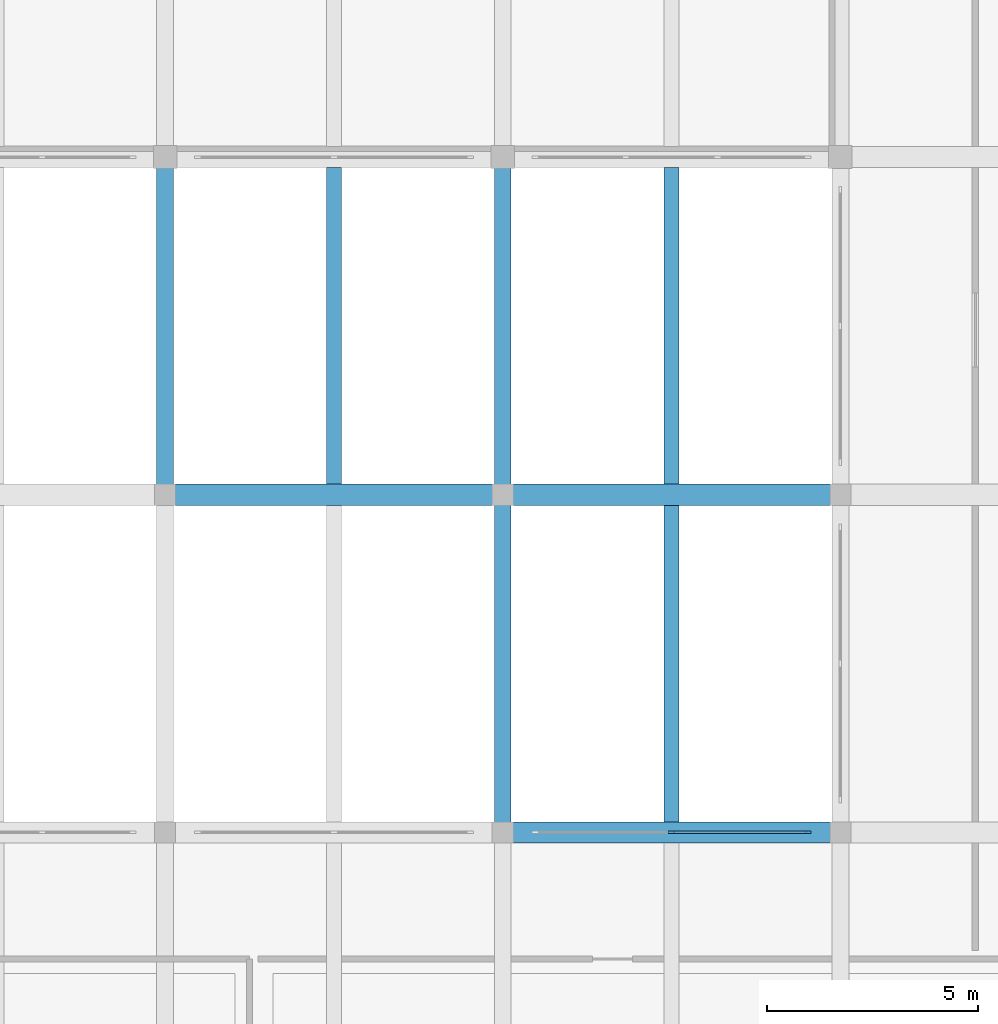
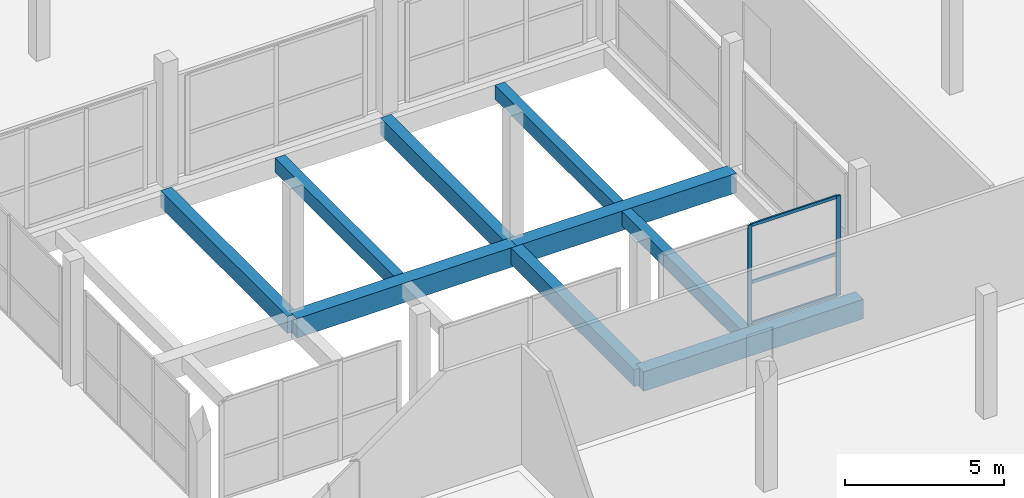
# One storey, part 5 of 47: 9 beams, 5 members, 1 element without a shape of its own.
"""IFC4 building model written with IfcOpenShell, lengths in metres."""

from ifc_helpers import new_model, si_unit, direction, frame, origin, origin_2d, place, context, subcontext, project, spatial, rectangle, extrude, material, material_profile, profile_set, type_object, element, aggregate, save


model = new_model("IFC4")

# Units and contexts
model_context = context("Model", 3, precision=1e-05, world=origin(), true_north=direction((0.0, 1.0)))
body_context = subcontext(model_context, "Body", "Model", "MODEL_VIEW")
ifc_project = project(units=[si_unit("LENGTHUNIT", "METRE"), si_unit("AREAUNIT", "SQUARE_METRE"), si_unit("VOLUMEUNIT", "CUBIC_METRE"), si_unit("PLANEANGLEUNIT", "RADIAN"), si_unit("MASSUNIT", "GRAM", prefix="KILO")], contexts=[model_context])

# Site, building, storey
site_placement = place(None, origin())
site = spatial("IfcSite", under=ifc_project, at=site_placement, CompositionType="ELEMENT")
building_placement = place(site_placement, origin())
building = spatial("IfcBuilding", under=site, at=building_placement, Name="Vharandega Faculty of Natural Sciences", CompositionType="ELEMENT")
storey_placement = place(building_placement, frame((0.0, 0.0, 5.39990234375)))
storey = spatial("IfcBuildingStorey", under=building, at=storey_placement, Name="L01", CompositionType="ELEMENT", Elevation=5.39990234375)

# Curtain wall, members
ifc_material_1 = material(Name="Aluminium and solar-control glass curtain wall", Category="aluminium")
curtain_wall_type = type_object("IfcCurtainWallType", Name="Unitised Curtain Wall System CW-14", PredefinedType="NOTDEFINED", material=ifc_material_1)
curtain_wall_placement = place(storey_placement, origin())
curtain_wall = element("IfcCurtainWall", 1, at=curtain_wall_placement, inside=storey, type_object=curtain_wall_type, Name="Curtain Wall CW-L01-125", PredefinedType="NOTDEFINED")
ifc_material_2 = material(Name="Thermally broken aluminium 6063-T6", Category="aluminium")
ifc_material_profile_1 = material_profile(ifc_material_2, rectangle(XDim=0.06005859375, YDim=0.159912109375, at=origin_2d()), Name="ALU 60x160")
ifc_profile_set_1 = profile_set([ifc_material_profile_1], Name="Thermally broken aluminium 6063-T6")
member_type_1 = type_object("IfcMemberType", Name="CW Mullion 60x160", PredefinedType="MULLION", material=ifc_profile_set_1)
member_1_placement = place(storey_placement, frame((28.0, 16.0, 0.0), z_axis=(0.0, 0.0, 1.0), x_axis=(0.0, 1.0, 0.0)))
member_1 = element("IfcMember", 2, at=member_1_placement, type_object=member_type_1, Name="CW-14 mullion 2", PredefinedType="MULLION", context=body_context, shape_type="SweptSolid", body=[
    extrude(rectangle(XDim=0.06005859375, YDim=0.159912109375, at=origin_2d()), origin(), (0.0, 0.0, 1.0), 3.840087890625),
])
member_2_placement = place(storey_placement, frame((31.22998046875, 16.0, 0.0), z_axis=(0.0, 0.0, 1.0), x_axis=(0.0, 1.0, 0.0)))
member_2 = element("IfcMember", 3, at=member_2_placement, type_object=member_type_1, Name="CW-14 mullion 3", PredefinedType="MULLION", context=body_context, shape_type="SweptSolid", body=[
    extrude(rectangle(XDim=0.06005859375, YDim=0.159912109375, at=origin_2d()), origin(), (0.0, 0.0, 1.0), 3.840087890625),
])
ifc_material_3 = material(Name="Thermally broken aluminium 6063-T6", Category="aluminium")
ifc_material_profile_2 = material_profile(ifc_material_3, rectangle(XDim=0.06005859375, YDim=0.1201171875, at=origin_2d()), Name="ALU 60x120")
ifc_profile_set_2 = profile_set([ifc_material_profile_2], Name="Thermally broken aluminium 6063-T6")
member_type_2 = type_object("IfcMemberType", Name="CW Transom 60x120", PredefinedType="USERDEFINED", material=ifc_profile_set_2)
member_3_placement = place(storey_placement, frame((28.030029296875, 16.0, 0.030029296875), z_axis=(1.0, 0.0, 0.0), x_axis=(0.0, 1.0, 0.0)))
member_3 = element("IfcMember", 4, at=member_3_placement, type_object=member_type_2, Name="CW-14 transom 2.1", ObjectType="TRANSOM", PredefinedType="USERDEFINED", context=body_context, shape_type="SweptSolid", body=[
    extrude(rectangle(XDim=0.06005859375, YDim=0.1201171875, at=origin_2d()), origin(), (0.0, 0.0, 1.0), 3.169921875),
])
member_4_placement = place(storey_placement, frame((28.030029296875, 16.0, 1.61279296875), z_axis=(1.0, 0.0, 0.0), x_axis=(0.0, 1.0, 0.0)))
member_4 = element("IfcMember", 5, at=member_4_placement, type_object=member_type_2, Name="CW-14 transom 2.2", ObjectType="TRANSOM", PredefinedType="USERDEFINED", context=body_context, shape_type="SweptSolid", body=[
    extrude(rectangle(XDim=0.06005859375, YDim=0.1201171875, at=origin_2d()), origin(), (0.0, 0.0, 1.0), 3.169921875),
])
member_5_placement = place(storey_placement, frame((28.030029296875, 16.0, 3.81005859375), z_axis=(1.0, 0.0, 0.0), x_axis=(0.0, 1.0, 0.0)))
member_5 = element("IfcMember", 6, at=member_5_placement, type_object=member_type_2, Name="CW-14 transom 2.3", ObjectType="TRANSOM", PredefinedType="USERDEFINED", context=body_context, shape_type="SweptSolid", body=[
    extrude(rectangle(XDim=0.06005859375, YDim=0.1201171875, at=origin_2d()), origin(), (0.0, 0.0, 1.0), 3.169921875),
])
aggregate(curtain_wall, [member_1, member_2, member_3, member_4, member_5])

# Beams
ifc_material_4 = material(Name="Concrete C40/50", Category="concrete")
ifc_material_profile_3 = material_profile(ifc_material_4, rectangle(XDim=0.39990234375, YDim=0.64990234375, at=origin_2d()), Name="RC 400x650")
ifc_profile_set_3 = profile_set([ifc_material_profile_3], Name="Concrete C40/50")
beam_type_1 = type_object("IfcBeamType", Name="Podium Floor Beam 400x650", PredefinedType="BEAM", material=ifc_profile_set_3)
for number, where, z_axis, x_axis, name in (
    (7, (16.0, 24.0, -0.60498046875), (0.0, 1.0, 0.0), (-1.0, 0.0, 0.0), "Beam L01 3/D-E"),
    (8, (24.0, 16.0, -0.60498046875), (0.0, 1.0, 0.0), (-1.0, 0.0, 0.0), "Beam L01 4/C-D"),
    (9, (24.0, 24.0, -0.60498046875), (0.0, 1.0, 0.0), (-1.0, 0.0, 0.0), "Beam L01 4/D-E"),
):
    element("IfcBeam", number, at=place(storey_placement, frame(where, z_axis=z_axis, x_axis=x_axis)), inside=storey, type_object=beam_type_1, Name=name, PredefinedType="BEAM", context=body_context, shape_type="SweptSolid", body=[
        extrude(rectangle(XDim=0.39990234375, YDim=0.64990234375, at=origin_2d()), origin(), (0.0, 0.0, 1.0), 8.0),
    ])
ifc_material_5 = material(Name="Concrete C40/50", Category="concrete")
ifc_material_profile_4 = material_profile(ifc_material_5, rectangle(XDim=0.5, YDim=0.75, at=origin_2d()), Name="RC 500x750")
ifc_profile_set_4 = profile_set([ifc_material_profile_4], Name="Concrete C40/50")
beam_type_2 = type_object("IfcBeamType", Name="Podium Primary Beam 500x750", PredefinedType="BEAM", material=ifc_profile_set_4)
for number, where, z_axis, x_axis, name in (
    (10, (24.0, 16.0, -0.65478515625), (1.0, 0.0, 0.0), (0.0, 1.0, 0.0), "Beam L01 C/4-5"),
    (11, (16.0, 24.0, -0.65478515625), (1.0, 0.0, 0.0), (0.0, 1.0, 0.0), "Beam L01 D/3-4"),
    (12, (24.0, 24.0, -0.65478515625), (1.0, 0.0, 0.0), (0.0, 1.0, 0.0), "Beam L01 D/4-5"),
):
    element("IfcBeam", number, at=place(storey_placement, frame(where, z_axis=z_axis, x_axis=x_axis)), inside=storey, type_object=beam_type_2, Name=name, PredefinedType="BEAM", context=body_context, shape_type="SweptSolid", body=[
        extrude(rectangle(XDim=0.5, YDim=0.75, at=origin_2d()), origin(), (0.0, 0.0, 1.0), 8.0),
    ])
ifc_material_6 = material(Name="Concrete C40/50", Category="concrete")
ifc_material_profile_5 = material_profile(ifc_material_6, rectangle(XDim=0.35009765625, YDim=0.550048828125, at=origin_2d()), Name="RC 350x550")
ifc_profile_set_5 = profile_set([ifc_material_profile_5], Name="Concrete C40/50")
beam_type_3 = type_object("IfcBeamType", Name="Podium Secondary Beam 350x550", PredefinedType="JOIST", material=ifc_profile_set_5)
for number, where, z_axis, x_axis, name in (
    (13, (20.0, 24.25, -0.554931640625), (0.0, 1.0, 0.0), (-1.0, 0.0, 0.0), "Secondary Joist L01 3-4/D-E"),
    (14, (28.0, 16.25, -0.554931640625), (0.0, 1.0, 0.0), (-1.0, 0.0, 0.0), "Secondary Joist L01 4-5/C-D"),
    (15, (28.0, 24.25, -0.554931640625), (0.0, 1.0, 0.0), (-1.0, 0.0, 0.0), "Secondary Joist L01 4-5/D-E"),
):
    element("IfcBeam", number, at=place(storey_placement, frame(where, z_axis=z_axis, x_axis=x_axis)), inside=storey, type_object=beam_type_3, Name=name, PredefinedType="JOIST", context=body_context, shape_type="SweptSolid", body=[
        extrude(rectangle(XDim=0.35009765625, YDim=0.550048828125, at=origin_2d()), origin(), (0.0, 0.0, 1.0), 7.5),
    ])

save(model, "model.ifc")
